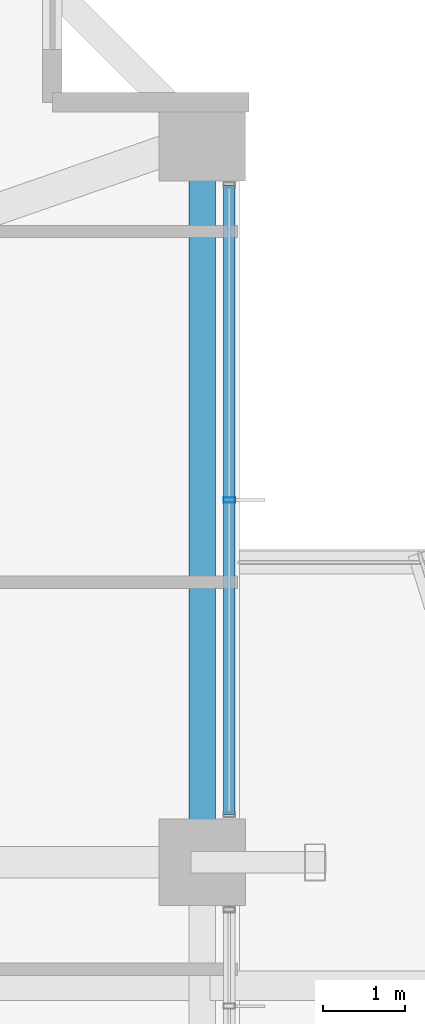
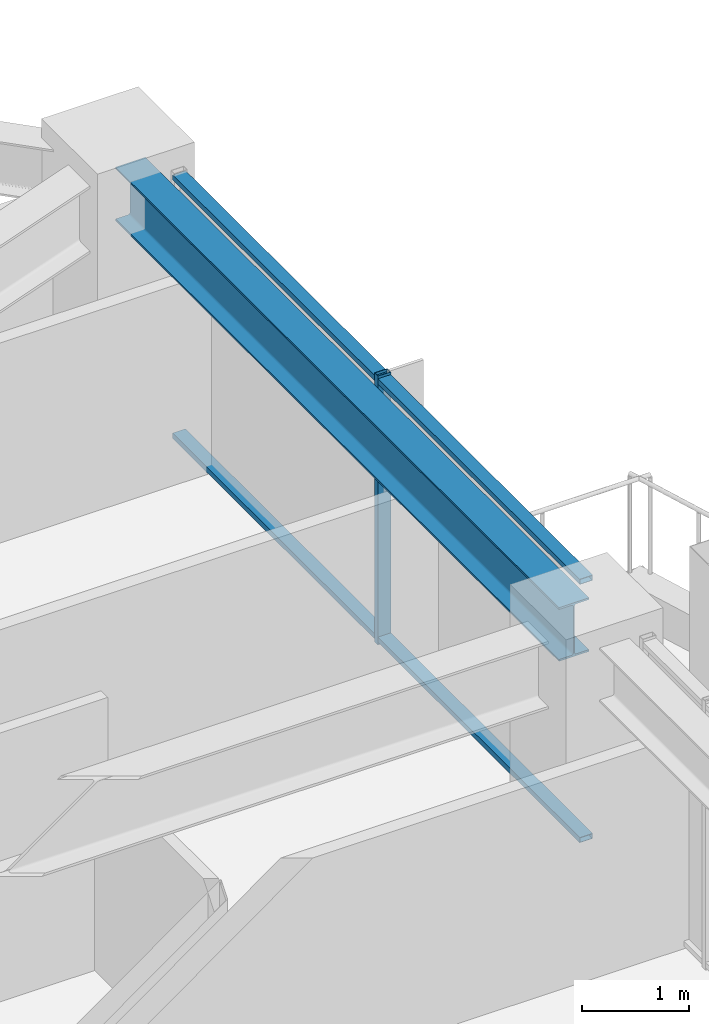
# One storey, part 17 of 37: 3 members, 1 beam, 1 element without a shape of its own.
"""IFC4 building model written with IfcOpenShell, lengths in metres."""

from ifc_helpers import new_model, si_unit, direction, frame, origin, origin_2d, place, context, subcontext, project, spatial, hollow_rectangle, i_section, extrude, material, material_profile, profile_set, type_object, element, aggregate, save


model = new_model("IFC4")

# Units and contexts
model_context = context("Model", 3, precision=1e-05, world=origin(), true_north=direction((0.0, 1.0)))
body_context = subcontext(model_context, "Body", "Model", "MODEL_VIEW")
ifc_project = project(units=[si_unit("LENGTHUNIT", "METRE"), si_unit("AREAUNIT", "SQUARE_METRE"), si_unit("VOLUMEUNIT", "CUBIC_METRE"), si_unit("PLANEANGLEUNIT", "RADIAN"), si_unit("MASSUNIT", "GRAM", prefix="KILO")], contexts=[model_context])

# Site, building, storey
site_placement = place(None, origin())
site = spatial("IfcSite", under=ifc_project, at=site_placement, CompositionType="ELEMENT")
building_placement = place(site_placement, origin())
building = spatial("IfcBuilding", under=site, at=building_placement, Name="Kolvaren Belvedere", CompositionType="ELEMENT")
storey_placement = place(building_placement, frame((0.0, 0.0, 75.5)))
storey = spatial("IfcBuildingStorey", under=building, at=storey_placement, Name="L21", CompositionType="ELEMENT", Elevation=75.5)

# Beam
ifc_material_1 = material(Name="Structural steel ASTM A992 Grade 50", Category="steel")
ifc_material_profile_1 = material_profile(ifc_material_1, i_section(OverallWidth=0.324951171875, OverallDepth=0.615966796875, WebThickness=0.013916015625, FlangeThickness=0.021484375, FilletRadius=0.02001953125, at=origin_2d()), Name="W24X117")
ifc_profile_set_1 = profile_set([ifc_material_profile_1], Name="Structural steel ASTM A992 Grade 50")
beam_type = type_object("IfcBeamType", Name="BM-SPAN-W24X117", PredefinedType="SPANDREL", material=ifc_profile_set_1)
beam_placement = place(storey_placement, frame((19.949951171875, 4.836181640625, 2.77197265625), z_axis=(0.0, 1.0, 0.0), x_axis=(-1.0, 0.0, 0.0)))
element("IfcBeam", 1, at=beam_placement, inside=storey, type_object=beam_type, Name="L21 Perimeter Spandrel E3-E4", PredefinedType="SPANDREL", context=body_context, shape_type="SweptSolid", body=[
    extrude(i_section(OverallWidth=0.324951171875, OverallDepth=0.615966796875, WebThickness=0.013916015625, FlangeThickness=0.021484375, FilletRadius=0.02001953125, at=origin_2d()), origin(), (0.0, 0.0, 1.0), 8.32763671875),
])

# Curtain wall, members
ifc_material_2 = material(Name="Anodised pale-metal aluminium AA 6063-T6", Category="aluminium")
curtain_wall_type = type_object("IfcCurtainWallType", Name="CW-Z2-MID", PredefinedType="NOTDEFINED", material=ifc_material_2)
curtain_wall_placement = place(storey_placement, origin())
curtain_wall = element("IfcCurtainWall", 2, at=curtain_wall_placement, inside=storey, type_object=curtain_wall_type, Name="L21 Unitised Curtain Wall FCW-L21-E1-B1", PredefinedType="NOTDEFINED")
ifc_material_3 = material(Name="Anodised pale-metal aluminium AA 6063-T6", Category="aluminium")
ifc_material_profile_2 = material_profile(ifc_material_3, hollow_rectangle(XDim=0.06494140625, YDim=0.139892578125, WallThickness=0.00390625, at=origin_2d()), Name="ALU-MUL-140X65")
ifc_profile_set_2 = profile_set([ifc_material_profile_2], Name="Anodised pale-metal aluminium AA 6063-T6")
member_type_1 = type_object("IfcMemberType", Name="CW-MUL-140", PredefinedType="MULLION", material=ifc_profile_set_2)
member_1_placement = place(storey_placement, frame((20.280029296875, 9.0, 0.0), z_axis=(0.0, 0.0, 1.0), x_axis=(0.0, 1.0, 0.0)))
member_1 = element("IfcMember", 3, at=member_1_placement, type_object=member_type_1, Name="FCW-L21-E1-B1 Unitised Mullion 2", PredefinedType="MULLION", context=body_context, shape_type="SweptSolid", body=[
    extrude(hollow_rectangle(XDim=0.06494140625, YDim=0.139892578125, WallThickness=0.00390625, at=origin_2d()), origin(), (0.0, 0.0, 1.0), 3.080078125),
])
ifc_material_4 = material(Name="Anodised pale-metal aluminium AA 6063-T6", Category="aluminium")
ifc_material_profile_3 = material_profile(ifc_material_4, hollow_rectangle(XDim=0.06005859375, YDim=0.139892578125, WallThickness=0.00390625, at=origin_2d()), Name="ALU-TRN-140X60")
ifc_profile_set_3 = profile_set([ifc_material_profile_3], Name="Anodised pale-metal aluminium AA 6063-T6")
member_type_2 = type_object("IfcMemberType", Name="CW-TRN-140", PredefinedType="USERDEFINED", material=ifc_profile_set_3)
member_2_placement = place(storey_placement, frame((20.280029296875, 12.822509765625, 0.06005859375), z_axis=(0.0, -1.0, 0.0), x_axis=(0.0, 0.0, 1.0)))
member_2 = element("IfcMember", 4, at=member_2_placement, type_object=member_type_2, Name="FCW-L21-E1-B1 Sill Transom", ObjectType="TRANSOM", PredefinedType="USERDEFINED", context=body_context, shape_type="SweptSolid", body=[
    extrude(hollow_rectangle(XDim=0.06005859375, YDim=0.139892578125, WallThickness=0.00390625, at=origin_2d()), origin(), (0.0, 0.0, 1.0), 7.64501953125),
])
member_3_placement = place(storey_placement, frame((20.280029296875, 12.822509765625, 3.02001953125), z_axis=(0.0, -1.0, 0.0), x_axis=(0.0, 0.0, 1.0)))
member_3 = element("IfcMember", 5, at=member_3_placement, type_object=member_type_2, Name="FCW-L21-E1-B1 Head Transom", ObjectType="TRANSOM", PredefinedType="USERDEFINED", context=body_context, shape_type="SweptSolid", body=[
    extrude(hollow_rectangle(XDim=0.06005859375, YDim=0.139892578125, WallThickness=0.00390625, at=origin_2d()), origin(), (0.0, 0.0, 1.0), 7.64501953125),
])
aggregate(curtain_wall, [member_1, member_2, member_3])

save(model, "model.ifc")
